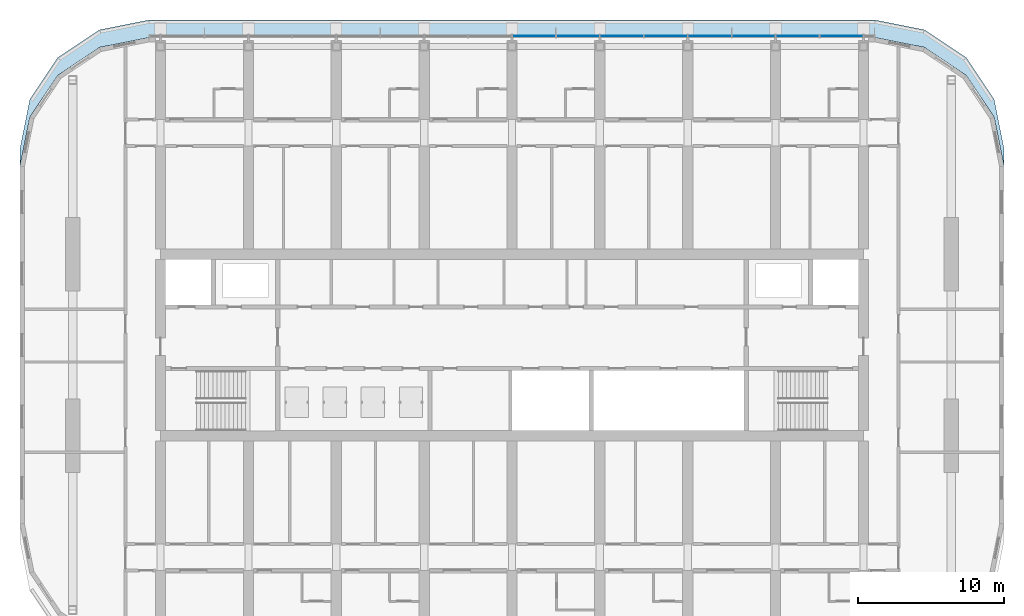
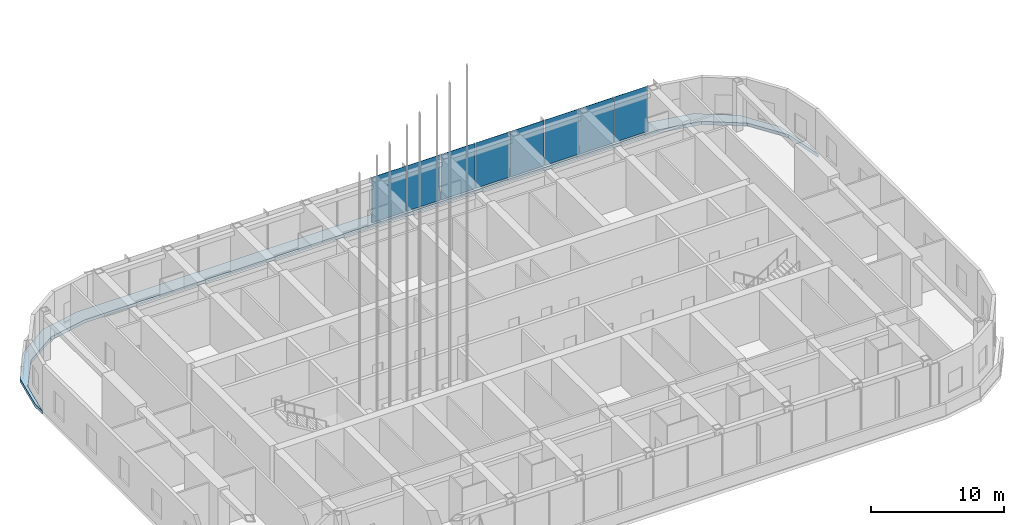
# One storey, part 12 of 35: 8 plates, 1 slab, 1 element without a shape of its own.
"""IFC4 building model written with IfcOpenShell, lengths in metres."""

from ifc_helpers import new_model, si_unit, direction, frame, origin, origin_2d, place, context, subcontext, project, spatial, polyline, rectangle, outline, extrude, material, layer, layer_set, type_object, element, aggregate, save


model = new_model("IFC4")

# Units and contexts
model_context = context("Model", 3, precision=1e-05, world=origin(), true_north=direction((0.0, 1.0)))
body_context = subcontext(model_context, "Body", "Model", "MODEL_VIEW")
ifc_project = project(units=[si_unit("LENGTHUNIT", "METRE"), si_unit("AREAUNIT", "SQUARE_METRE"), si_unit("VOLUMEUNIT", "CUBIC_METRE"), si_unit("PLANEANGLEUNIT", "RADIAN"), si_unit("MASSUNIT", "GRAM", prefix="KILO")], contexts=[model_context])

# Site, building, storey
site_placement = place(None, origin())
site = spatial("IfcSite", under=ifc_project, at=site_placement, CompositionType="ELEMENT")
building_placement = place(site_placement, origin())
building = spatial("IfcBuilding", under=site, at=building_placement, Name="Orbita Commons", CompositionType="ELEMENT")
storey_placement = place(building_placement, frame((0.0, 0.0, 208.300048828125)))
storey = spatial("IfcBuildingStorey", under=building, at=storey_placement, Name="L51", CompositionType="ELEMENT", Elevation=208.300048828125)

# Slab
ifc_material_1 = material(Name="Concrete C40/50", Category="concrete")
ifc_layer_1 = layer(ifc_material_1, 0.300048828125)
ifc_layer_set_1 = layer_set([ifc_layer_1], Name="Concrete C40/50")
slab_type = type_object("IfcSlabType", Name="Roof ledge slab 300", PredefinedType="ROOF", material=ifc_layer_set_1)
slab_placement = place(storey_placement, frame((0.0, 0.0, -0.300048828125)))
element("IfcSlab", 1, at=slab_placement, inside=storey, type_object=slab_type, Name="Roof ledge L51 2", PredefinedType="ROOF", context=body_context, shape_type="SweptSolid", body=[
    extrude(outline(polyline([(8.39990234375, 45.39990234375), (9.06982421875, 48.767578125), (10.9775390625, 51.62255859375), (13.83251953125, 53.530029296875), (17.199951171875, 54.199951171875), (66.800048828125, 54.199951171875), (70.16748046875, 53.530029296875), (73.0224609375, 51.62255859375), (74.93017578125, 48.767578125), (75.60009765625, 45.39990234375), (75.60009765625, 44.199951171875), (74.93017578125, 47.567626953125), (73.0224609375, 50.422607421875), (70.16748046875, 52.330078125), (66.800048828125, 53.0), (17.199951171875, 53.0), (13.83251953125, 52.330078125), (10.9775390625, 50.422607421875), (9.06982421875, 47.567626953125), (8.39990234375, 44.199951171875), (8.39990234375, 45.39990234375)])), origin(), (0.0, 0.0, 1.0), 0.300048828125),
])

# Curtain wall, plates
ifc_material_2 = material(Name="Anodised aluminium frame, pale silver", Category="aluminium")
curtain_wall_type = type_object("IfcCurtainWallType", Name="Unitised curtain wall CW-S, full-height", PredefinedType="NOTDEFINED", material=ifc_material_2)
curtain_wall_placement = place(storey_placement, origin())
curtain_wall = element("IfcCurtainWall", 2, at=curtain_wall_placement, inside=storey, type_object=curtain_wall_type, Name="Curtain wall north L51", PredefinedType="NOTDEFINED")
ifc_material_3 = material(Name="Low-iron glass", Category="glass")
ifc_layer_2 = layer(ifc_material_3, 0.031982421875)
ifc_layer_set_2 = layer_set([ifc_layer_2], Name="Low-iron glass")
plate_type = type_object("IfcPlateType", Name="Vision panel, clear low-iron glazing 32", PredefinedType="CURTAIN_PANEL", material=ifc_layer_set_2)
plate_1_placement = place(storey_placement, frame((64.5, 53.110107421875, 0.10009765625), z_axis=(0.0, 0.0, 1.0), x_axis=(-1.0, 0.0, 0.0)))
plate_1 = element("IfcPlate", 3, at=plate_1_placement, type_object=plate_type, Name="Panel 2.1 CW-L51-N", PredefinedType="CURTAIN_PANEL", context=body_context, shape_type="SweptSolid", body=[
    extrude(rectangle(XDim=2.919921875, YDim=0.031982421875, at=origin_2d()), origin(), (0.0, 0.0, 1.0), 4.14990234375),
])
plate_2_placement = place(storey_placement, frame((61.5, 53.110107421875, 0.10009765625), z_axis=(0.0, 0.0, 1.0), x_axis=(-1.0, 0.0, 0.0)))
plate_2 = element("IfcPlate", 4, at=plate_2_placement, type_object=plate_type, Name="Panel 3.1 CW-L51-N", PredefinedType="CURTAIN_PANEL", context=body_context, shape_type="SweptSolid", body=[
    extrude(rectangle(XDim=2.919921875, YDim=0.031982421875, at=origin_2d()), origin(), (0.0, 0.0, 1.0), 4.14990234375),
])
plate_3_placement = place(storey_placement, frame((58.5, 53.110107421875, 0.10009765625), z_axis=(0.0, 0.0, 1.0), x_axis=(-1.0, 0.0, 0.0)))
plate_3 = element("IfcPlate", 5, at=plate_3_placement, type_object=plate_type, Name="Panel 4.1 CW-L51-N", PredefinedType="CURTAIN_PANEL", context=body_context, shape_type="SweptSolid", body=[
    extrude(rectangle(XDim=2.919921875, YDim=0.031982421875, at=origin_2d()), origin(), (0.0, 0.0, 1.0), 4.14990234375),
])
plate_4_placement = place(storey_placement, frame((55.5, 53.110107421875, 0.10009765625), z_axis=(0.0, 0.0, 1.0), x_axis=(-1.0, 0.0, 0.0)))
plate_4 = element("IfcPlate", 6, at=plate_4_placement, type_object=plate_type, Name="Panel 5.1 CW-L51-N", PredefinedType="CURTAIN_PANEL", context=body_context, shape_type="SweptSolid", body=[
    extrude(rectangle(XDim=2.919921875, YDim=0.031982421875, at=origin_2d()), origin(), (0.0, 0.0, 1.0), 4.14990234375),
])
plate_5_placement = place(storey_placement, frame((52.5, 53.110107421875, 0.10009765625), z_axis=(0.0, 0.0, 1.0), x_axis=(-1.0, 0.0, 0.0)))
plate_5 = element("IfcPlate", 7, at=plate_5_placement, type_object=plate_type, Name="Panel 6.1 CW-L51-N", PredefinedType="CURTAIN_PANEL", context=body_context, shape_type="SweptSolid", body=[
    extrude(rectangle(XDim=2.919921875, YDim=0.031982421875, at=origin_2d()), origin(), (0.0, 0.0, 1.0), 4.14990234375),
])
plate_6_placement = place(storey_placement, frame((49.5, 53.110107421875, 0.10009765625), z_axis=(0.0, 0.0, 1.0), x_axis=(-1.0, 0.0, 0.0)))
plate_6 = element("IfcPlate", 8, at=plate_6_placement, type_object=plate_type, Name="Panel 7.1 CW-L51-N", PredefinedType="CURTAIN_PANEL", context=body_context, shape_type="SweptSolid", body=[
    extrude(rectangle(XDim=2.919921875, YDim=0.031982421875, at=origin_2d()), origin(), (0.0, 0.0, 1.0), 4.14990234375),
])
plate_7_placement = place(storey_placement, frame((46.5, 53.110107421875, 0.10009765625), z_axis=(0.0, 0.0, 1.0), x_axis=(-1.0, 0.0, 0.0)))
plate_7 = element("IfcPlate", 9, at=plate_7_placement, type_object=plate_type, Name="Panel 8.1 CW-L51-N", PredefinedType="CURTAIN_PANEL", context=body_context, shape_type="SweptSolid", body=[
    extrude(rectangle(XDim=2.919921875, YDim=0.031982421875, at=origin_2d()), origin(), (0.0, 0.0, 1.0), 4.14990234375),
])
plate_8_placement = place(storey_placement, frame((43.5, 53.110107421875, 0.10009765625), z_axis=(0.0, 0.0, 1.0), x_axis=(-1.0, 0.0, 0.0)))
plate_8 = element("IfcPlate", 10, at=plate_8_placement, type_object=plate_type, Name="Panel 9.1 CW-L51-N", PredefinedType="CURTAIN_PANEL", context=body_context, shape_type="SweptSolid", body=[
    extrude(rectangle(XDim=2.919921875, YDim=0.031982421875, at=origin_2d()), origin(), (0.0, 0.0, 1.0), 4.14990234375),
])
aggregate(curtain_wall, [plate_1, plate_2, plate_3, plate_4, plate_5, plate_6, plate_7, plate_8])

save(model, "model.ifc")
